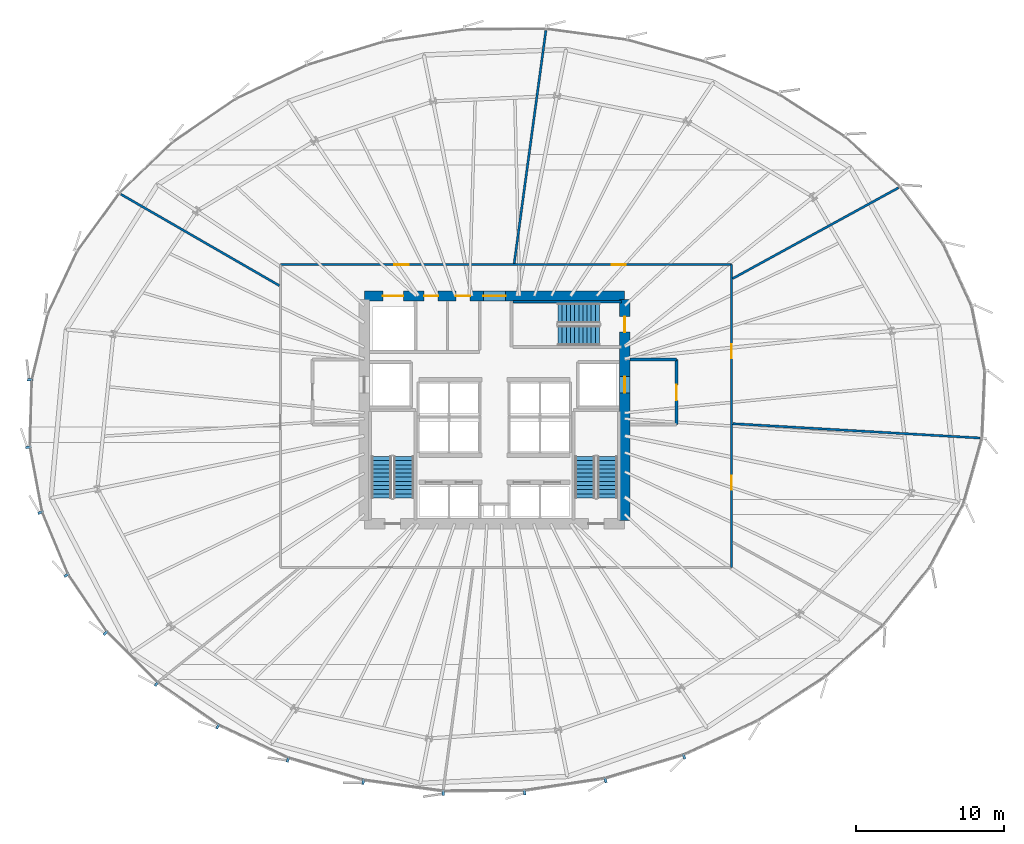
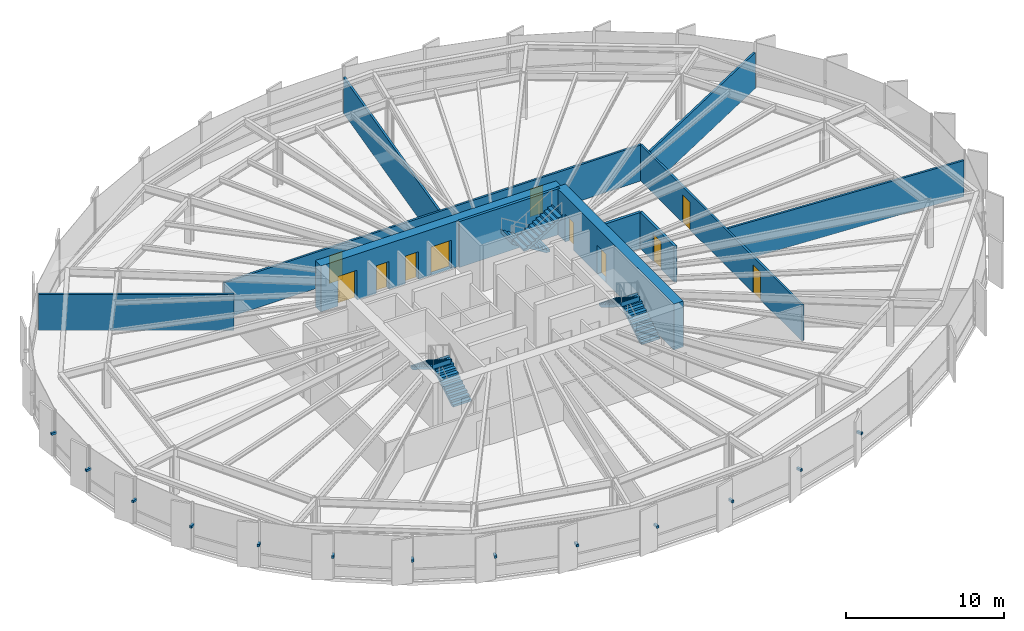
# One storey, part 31 of 37: 13 discrete accessories, 11 doors, 11 walls, 6 stair flights, 11 openings, 3 elements without a shape of their own.
"""IFC4 building model written with IfcOpenShell, lengths in metres."""

from ifc_helpers import new_model, si_unit, direction, frame, frame_2d, origin, origin_2d, place, context, subcontext, project, spatial, polyline, rectangle, outline, extrude, source, transform, mapped, material, layer, layer_set, type_object, element, fill, aggregate, save


model = new_model("IFC4")

# Units and contexts
model_context = context("Model", 3, precision=1e-05, world=origin(), true_north=direction((0.0, 1.0)))
body_context = subcontext(model_context, "Body", "Model", "MODEL_VIEW")
ifc_project = project(units=[si_unit("LENGTHUNIT", "METRE"), si_unit("AREAUNIT", "SQUARE_METRE"), si_unit("VOLUMEUNIT", "CUBIC_METRE"), si_unit("PLANEANGLEUNIT", "RADIAN"), si_unit("MASSUNIT", "GRAM", prefix="KILO"), si_unit("THERMODYNAMICTEMPERATUREUNIT", "KELVIN")], contexts=[model_context])

# Site, building, storey
site_placement = place(None, origin())
site = spatial("IfcSite", under=ifc_project, at=site_placement, CompositionType="ELEMENT")
building_placement = place(site_placement, origin())
building = spatial("IfcBuilding", under=site, at=building_placement, Name="Kethvar Cultural Tower", CompositionType="ELEMENT")
storey_placement = place(building_placement, frame((0.0, 0.0, 48.60009765625)))
storey = spatial("IfcBuildingStorey", under=building, at=storey_placement, Name="L11", CompositionType="ELEMENT", Elevation=48.60009765625)

# Wall, openings, doors
ifc_material_1 = material(Name="Concrete C60/75", Category="concrete")
ifc_layer_1 = layer(ifc_material_1, 0.699951171875, Name="Concrete C60/75", Category="concrete")
ifc_layer_set_1 = layer_set([ifc_layer_1], Name="Concrete C60/75 (700 mm)")
wall_type_1 = type_object("IfcWallType", Name="WL-CORE-700", PredefinedType="SHEAR", material=ifc_layer_set_1)
wall_1_placement = place(storey_placement, frame((55.60009765625, 35.5, 0.0), z_axis=(0.0, 0.0, 1.0), x_axis=(-1.0, 0.0, 0.0)))
wall_1 = element("IfcWall", 1, at=wall_1_placement, inside=storey, type_object=wall_type_1, Name="L11 Core Shear Wall N", PredefinedType="SHEAR", context=body_context, shape_type="SweptSolid", body=[
    extrude(rectangle(XDim=17.60009765625, YDim=0.699951171875, at=frame_2d((8.800048828125, 0.0))), origin(), (0.0, 0.0, 1.0), 3.5498046875),
])
opening_1_placement = place(wall_1_placement, frame((8.050048828125, 0.0, 0.0)))
opening_1 = element("IfcOpeningElement", 2, at=opening_1_placement, cuts=wall_1, Name="Opening D-L11-LN", PredefinedType="OPENING", context=body_context, shape_type="SweptSolid", body=[
    extrude(rectangle(XDim=1.5, YDim=2.199951171875, at=frame_2d((0.75, 1.10009765625))), frame((0.0, 0.35986328125, 0.0), z_axis=(0.0, -1.0, 0.0), x_axis=(1.0, 0.0, 0.0)), (0.0, 0.0, 1.0), 0.719970703125),
])
opening_2_placement = place(wall_1_placement, frame((14.949951171875, 0.0, 0.0)))
opening_2 = element("IfcOpeningElement", 3, at=opening_2_placement, cuts=wall_1, Name="Opening LD-G1", PredefinedType="OPENING", context=body_context, shape_type="SweptSolid", body=[
    extrude(rectangle(XDim=1.39990234375, YDim=2.300048828125, at=frame_2d((0.699951171875, 1.14990234375))), frame((0.0, 0.35986328125, 0.0), z_axis=(0.0, -1.0, 0.0), x_axis=(1.0, 0.0, 0.0)), (0.0, 0.0, 1.0), 0.719970703125),
])
opening_3_placement = place(wall_1_placement, frame((12.60009765625, 0.0, 0.0)))
opening_3 = element("IfcOpeningElement", 4, at=opening_3_placement, cuts=wall_1, Name="Opening D-L11-W1", PredefinedType="OPENING", context=body_context, shape_type="SweptSolid", body=[
    extrude(rectangle(XDim=0.949951171875, YDim=2.14990234375, at=frame_2d((0.47509765625, 1.074951171875))), frame((0.0, 0.35986328125, 0.0), z_axis=(0.0, -1.0, 0.0), x_axis=(1.0, 0.0, 0.0)), (0.0, 0.0, 1.0), 0.719970703125),
])
opening_4_placement = place(wall_1_placement, frame((10.449951171875, 0.0, 0.0)))
opening_4 = element("IfcOpeningElement", 5, at=opening_4_placement, cuts=wall_1, Name="Opening D-L11-W2", PredefinedType="OPENING", context=body_context, shape_type="SweptSolid", body=[
    extrude(rectangle(XDim=0.949951171875, YDim=2.14990234375, at=frame_2d((0.47509765625, 1.074951171875))), frame((0.0, 0.35986328125, 0.0), z_axis=(0.0, -1.0, 0.0), x_axis=(1.0, 0.0, 0.0)), (0.0, 0.0, 1.0), 0.719970703125),
])
ifc_material_2 = material(Name="Architectural Oak Timber", Category="wood")
door_type_1 = type_object("IfcDoorType", Name="DR-DBL-FD60-1500", OperationType="DOUBLE_DOOR_SINGLE_SWING", PredefinedType="DOOR", material=ifc_material_2)
shared_shape_1 = source(origin(), body_context, "Body", "SweptSolid", [
    extrude(rectangle(XDim=1.5, YDim=2.199951171875, at=frame_2d((0.75, 1.10009765625))), frame((0.0, 0.02490234375, 0.0), z_axis=(0.0, -1.0, 0.0), x_axis=(1.0, 0.0, 0.0)), (0.0, 0.0, 1.0), 0.050048828125),
])
door_1_placement = place(opening_1_placement, origin())
door_1 = element("IfcDoor", 6, at=door_1_placement, inside=storey, type_object=door_type_1, Name="L11 Lift Lobby Concourse Door", OperationType="DOUBLE_DOOR_SINGLE_SWING", OverallHeight=2.199951171875, OverallWidth=1.5, PredefinedType="DOOR", context=body_context, shape_type="MappedRepresentation", body=[
    mapped(shared_shape_1, transform((0.0, 0.0, 0.0), scale=1.0)),
])
fill(opening_1, door_1)
ifc_material_3 = material(Name="Steel S355J2", Category="steel")
door_type_2 = type_object("IfcDoorType", Name="DR-LIFT-SLIDE-1400", OperationType="NOTDEFINED", PredefinedType="DOOR", material=ifc_material_3)
shared_shape_2 = source(origin(), body_context, "Body", "SweptSolid", [
    extrude(rectangle(XDim=1.39990234375, YDim=2.300048828125, at=frame_2d((0.699951171875, 1.14990234375))), frame((0.0, 0.02490234375, 0.0), z_axis=(0.0, -1.0, 0.0), x_axis=(1.0, 0.0, 0.0)), (0.0, 0.0, 1.0), 0.050048828125),
])
door_2_placement = place(opening_2_placement, origin())
door_2 = element("IfcDoor", 7, at=door_2_placement, inside=storey, type_object=door_type_2, Name="L11 Goods Lift Landing Door", OperationType="SLIDING_TO_RIGHT", OverallHeight=2.300048828125, OverallWidth=1.39990234375, PredefinedType="DOOR", context=body_context, shape_type="MappedRepresentation", body=[
    mapped(shared_shape_2, transform((0.0, 0.0, 0.0), scale=1.0)),
])
fill(opening_2, door_2)
door_type_3 = type_object("IfcDoorType", Name="DR-FD30-950", OperationType="NOTDEFINED", PredefinedType="DOOR", material=ifc_material_2)
shared_shape_3 = source(origin(), body_context, "Body", "SweptSolid", [
    extrude(rectangle(XDim=0.949951171875, YDim=2.14990234375, at=frame_2d((0.47509765625, 1.074951171875))), frame((0.0, 0.02490234375, 0.0), z_axis=(0.0, -1.0, 0.0), x_axis=(1.0, 0.0, 0.0)), (0.0, 0.0, 1.0), 0.050048828125),
])
door_3_placement = place(opening_3_placement, origin())
door_3 = element("IfcDoor", 8, at=door_3_placement, inside=storey, type_object=door_type_3, Name="L11 Accessible Washroom Door", OperationType="SINGLE_SWING_LEFT", OverallHeight=2.14990234375, OverallWidth=0.949951171875, PredefinedType="DOOR", context=body_context, shape_type="MappedRepresentation", body=[
    mapped(shared_shape_3, transform((0.0, 0.0, 0.0), scale=1.0)),
])
fill(opening_3, door_3)
door_4_placement = place(opening_4_placement, origin())
door_4 = element("IfcDoor", 9, at=door_4_placement, inside=storey, type_object=door_type_3, Name="L11 Public Washroom Door", OperationType="SINGLE_SWING_RIGHT", OverallHeight=2.14990234375, OverallWidth=0.949951171875, PredefinedType="DOOR", context=body_context, shape_type="MappedRepresentation", body=[
    mapped(shared_shape_3, transform((0.0, 0.0, 0.0), scale=1.0)),
])
fill(opening_4, door_4)

wall_2_placement = place(storey_placement, frame((55.60009765625, 20.340087890625, 0.0), z_axis=(0.0, 0.0, 1.0), x_axis=(0.0, 1.0, 0.0)))
wall_2 = element("IfcWall", 10, at=wall_2_placement, inside=storey, type_object=wall_type_1, Name="L11 Core Shear Wall E", PredefinedType="SHEAR", context=body_context, shape_type="SweptSolid", body=[
    extrude(rectangle(XDim=14.919921875, YDim=0.699951171875, at=frame_2d((7.4599609375, 0.0))), origin(), (0.0, 0.0, 1.0), 3.5498046875),
])
opening_5_placement = place(wall_2_placement, frame((12.7099609375, 0.0, 0.0)))
opening_5 = element("IfcOpeningElement", 11, at=opening_5_placement, cuts=wall_2, Name="Opening D-L11-S3", PredefinedType="OPENING", context=body_context, shape_type="SweptSolid", body=[
    extrude(rectangle(XDim=1.050048828125, YDim=2.14990234375, at=frame_2d((0.52490234375, 1.074951171875))), frame((0.0, 0.35986328125, 0.0), z_axis=(0.0, -1.0, 0.0), x_axis=(1.0, 0.0, 0.0)), (0.0, 0.0, 1.0), 0.719970703125),
])
opening_6_placement = place(wall_2_placement, frame((8.610107421875, 0.0, 0.0)))
opening_6 = element("IfcOpeningElement", 12, at=opening_6_placement, cuts=wall_2, Name="Opening LD-2", PredefinedType="OPENING", context=body_context, shape_type="SweptSolid", body=[
    extrude(rectangle(XDim=1.10009765625, YDim=2.199951171875, at=frame_2d((0.550048828125, 1.10009765625))), frame((0.0, 0.35986328125, 0.0), z_axis=(0.0, -1.0, 0.0), x_axis=(1.0, 0.0, 0.0)), (0.0, 0.0, 1.0), 0.719970703125),
])
door_type_4 = type_object("IfcDoorType", Name="DR-FD60-1050", OperationType="NOTDEFINED", PredefinedType="DOOR", material=ifc_material_3)
shared_shape_4 = source(origin(), body_context, "Body", "SweptSolid", [
    extrude(rectangle(XDim=1.050048828125, YDim=2.14990234375, at=frame_2d((0.52490234375, 1.074951171875))), frame((0.0, 0.02490234375, 0.0), z_axis=(0.0, -1.0, 0.0), x_axis=(1.0, 0.0, 0.0)), (0.0, 0.0, 1.0), 0.050048828125),
])
door_5_placement = place(opening_5_placement, origin())
door_5 = element("IfcDoor", 13, at=door_5_placement, inside=storey, type_object=door_type_4, Name="L11 Exit Stair 3 Door", OperationType="SINGLE_SWING_LEFT", OverallHeight=2.14990234375, OverallWidth=1.050048828125, PredefinedType="DOOR", context=body_context, shape_type="MappedRepresentation", body=[
    mapped(shared_shape_4, transform((0.0, 0.0, 0.0), scale=1.0)),
])
fill(opening_5, door_5)
door_type_5 = type_object("IfcDoorType", Name="DR-LIFT-SLIDE-1100", OperationType="NOTDEFINED", PredefinedType="DOOR", material=ifc_material_3)
shared_shape_5 = source(origin(), body_context, "Body", "SweptSolid", [
    extrude(rectangle(XDim=1.10009765625, YDim=2.199951171875, at=frame_2d((0.550048828125, 1.10009765625))), frame((0.0, 0.02490234375, 0.0), z_axis=(0.0, -1.0, 0.0), x_axis=(1.0, 0.0, 0.0)), (0.0, 0.0, 1.0), 0.050048828125),
])
door_6_placement = place(opening_6_placement, origin())
door_6 = element("IfcDoor", 14, at=door_6_placement, inside=storey, type_object=door_type_5, Name="L11 Firefighting Lift Landing Door FFL-02", OperationType="SLIDING_TO_RIGHT", OverallHeight=2.199951171875, OverallWidth=1.10009765625, PredefinedType="DOOR", context=body_context, shape_type="MappedRepresentation", body=[
    mapped(shared_shape_5, transform((0.0, 0.0, 0.0), scale=1.0)),
])
fill(opening_6, door_6)

ifc_material_4 = material(Name="Gypsum Fireboard Partition")
ifc_layer_2 = layer(ifc_material_4, 0.14990234375, Name="Gypsum Fireboard Partition")
ifc_layer_set_2 = layer_set([ifc_layer_2], Name="Gypsum Fireboard Partition (150 mm)")
wall_type_2 = type_object("IfcWallType", Name="WL-FIRE-150", PredefinedType="PARTITIONING", material=ifc_layer_set_2)
wall_3_placement = place(storey_placement, frame((62.830078125, 17.139892578125, 0.0), z_axis=(0.0, 0.0, 1.0), x_axis=(0.0, 1.0, 0.0)))
wall_3 = element("IfcWall", 15, at=wall_3_placement, inside=storey, type_object=wall_type_2, Name="L11 Corridor Rated Wall E", PredefinedType="PARTITIONING", context=body_context, shape_type="SweptSolid", body=[
    extrude(rectangle(XDim=20.480224609375, YDim=0.14990234375, at=frame_2d((10.240234375, 0.0))), origin(), (0.0, 0.0, 1.0), 2.784912109375),
])
opening_7_placement = place(wall_3_placement, frame((5.248779296875, 0.0, 0.0)))
opening_7 = element("IfcOpeningElement", 16, at=opening_7_placement, cuts=wall_3, Name="Opening D-L11-03", PredefinedType="OPENING", context=body_context, shape_type="SweptSolid", body=[
    extrude(rectangle(XDim=0.949951171875, YDim=2.14990234375, at=frame_2d((0.47509765625, 1.074951171875))), frame((0.0, 0.0849609375, 0.0), z_axis=(0.0, -1.0, 0.0), x_axis=(1.0, 0.0, 0.0)), (0.0, 0.0, 1.0), 0.169921875),
])
opening_8_placement = place(wall_3_placement, frame((14.1611328125, 0.0, 0.0)))
opening_8 = element("IfcOpeningElement", 17, at=opening_8_placement, cuts=wall_3, Name="Opening D-L11-04", PredefinedType="OPENING", context=body_context, shape_type="SweptSolid", body=[
    extrude(rectangle(XDim=0.949951171875, YDim=2.14990234375, at=frame_2d((0.47509765625, 1.074951171875))), frame((0.0, 0.0849609375, 0.0), z_axis=(0.0, -1.0, 0.0), x_axis=(1.0, 0.0, 0.0)), (0.0, 0.0, 1.0), 0.169921875),
])
door_7_placement = place(opening_7_placement, origin())
door_7 = element("IfcDoor", 18, at=door_7_placement, inside=storey, type_object=door_type_3, Name="L11 Executive Boardroom 03 Door", OperationType="SINGLE_SWING_RIGHT", OverallHeight=2.14990234375, OverallWidth=0.949951171875, PredefinedType="DOOR", context=body_context, shape_type="MappedRepresentation", body=[
    mapped(shared_shape_3, transform((0.0, 0.0, 0.0), scale=1.0)),
])
fill(opening_7, door_7)
door_8_placement = place(opening_8_placement, origin())
door_8 = element("IfcDoor", 19, at=door_8_placement, inside=storey, type_object=door_type_3, Name="L11 Fellowship Seminar Room 04 Door", OperationType="SINGLE_SWING_LEFT", OverallHeight=2.14990234375, OverallWidth=0.949951171875, PredefinedType="DOOR", context=body_context, shape_type="MappedRepresentation", body=[
    mapped(shared_shape_3, transform((0.0, 0.0, 0.0), scale=1.0)),
])
fill(opening_8, door_8)

wall_4_placement = place(storey_placement, frame((62.830078125, 37.6201171875, 0.0), z_axis=(0.0, 0.0, 1.0), x_axis=(-1.0, 0.0, 0.0)))
wall_4 = element("IfcWall", 20, at=wall_4_placement, inside=storey, type_object=wall_type_2, Name="L11 Corridor Rated Wall N", PredefinedType="PARTITIONING", context=body_context, shape_type="SweptSolid", body=[
    extrude(rectangle(XDim=30.5, YDim=0.14990234375, at=frame_2d((15.25, 0.0))), origin(), (0.0, 0.0, 1.0), 2.784912109375),
])
opening_9_placement = place(wall_4_placement, frame((7.167236328125, 0.0, 0.0)))
opening_9 = element("IfcOpeningElement", 21, at=opening_9_placement, cuts=wall_4, Name="Opening D-L11-05", PredefinedType="OPENING", context=body_context, shape_type="SweptSolid", body=[
    extrude(rectangle(XDim=0.949951171875, YDim=2.14990234375, at=frame_2d((0.47509765625, 1.074951171875))), frame((0.0, 0.0849609375, 0.0), z_axis=(0.0, -1.0, 0.0), x_axis=(1.0, 0.0, 0.0)), (0.0, 0.0, 1.0), 0.169921875),
])
opening_10_placement = place(wall_4_placement, frame((21.836181640625, 0.0, 0.0)))
opening_10 = element("IfcOpeningElement", 22, at=opening_10_placement, cuts=wall_4, Name="Opening D-L11-06", PredefinedType="OPENING", context=body_context, shape_type="SweptSolid", body=[
    extrude(rectangle(XDim=0.949951171875, YDim=2.14990234375, at=frame_2d((0.47509765625, 1.074951171875))), frame((0.0, 0.0849609375, 0.0), z_axis=(0.0, -1.0, 0.0), x_axis=(1.0, 0.0, 0.0)), (0.0, 0.0, 1.0), 0.169921875),
])
door_9_placement = place(opening_9_placement, origin())
door_9 = element("IfcDoor", 23, at=door_9_placement, inside=storey, type_object=door_type_3, Name="L11 Docent Espresso Pantry 05 Door", OperationType="SINGLE_SWING_RIGHT", OverallHeight=2.14990234375, OverallWidth=0.949951171875, PredefinedType="DOOR", context=body_context, shape_type="MappedRepresentation", body=[
    mapped(shared_shape_3, transform((0.0, 0.0, 0.0), scale=1.0)),
])
fill(opening_9, door_9)
door_10_placement = place(opening_10_placement, origin())
door_10 = element("IfcDoor", 24, at=door_10_placement, inside=storey, type_object=door_type_3, Name="L11 Compact Archival Store 06 Door", OperationType="SINGLE_SWING_LEFT", OverallHeight=2.14990234375, OverallWidth=0.949951171875, PredefinedType="DOOR", context=body_context, shape_type="MappedRepresentation", body=[
    mapped(shared_shape_3, transform((0.0, 0.0, 0.0), scale=1.0)),
])
fill(opening_10, door_10)

# Wall, opening, door
ifc_material_5 = material(Name="Concrete C40/50", Category="concrete")
ifc_layer_3 = layer(ifc_material_5, 0.199951171875, Name="Concrete C40/50", Category="concrete")
ifc_layer_set_3 = layer_set([ifc_layer_3], Name="Concrete C40/50 (200 mm)")
wall_type_3 = type_object("IfcWallType", Name="WL-FIRE-200", PredefinedType="PARTITIONING", material=ifc_layer_set_3)
wall_5_placement = place(storey_placement, frame((59.10009765625, 26.800048828125, 0.0), z_axis=(0.0, 0.0, 1.0), x_axis=(0.0, 1.0, 0.0)))
wall_5 = element("IfcWall", 25, at=wall_5_placement, inside=storey, type_object=wall_type_3, Name="L11 Firefighting Lobby 2 Wall", PredefinedType="PARTITIONING", context=body_context, shape_type="SweptSolid", body=[
    extrude(rectangle(XDim=4.39990234375, YDim=0.199951171875, at=frame_2d((2.199951171875, 0.0))), origin(), (0.0, 0.0, 1.0), 2.784912109375),
])
opening_11_placement = place(wall_5_placement, frame((1.64990234375, 0.0, 0.0)))
opening_11 = element("IfcOpeningElement", 26, at=opening_11_placement, cuts=wall_5, Name="Opening D-L11-F2", PredefinedType="OPENING", context=body_context, shape_type="SweptSolid", body=[
    extrude(rectangle(XDim=1.050048828125, YDim=2.14990234375, at=frame_2d((0.52490234375, 1.074951171875))), frame((0.0, 0.10986328125, 0.0), z_axis=(0.0, -1.0, 0.0), x_axis=(1.0, 0.0, 0.0)), (0.0, 0.0, 1.0), 0.219970703125),
])
door_11_placement = place(opening_11_placement, origin())
door_11 = element("IfcDoor", 27, at=door_11_placement, inside=storey, type_object=door_type_4, Name="L11 Firefighting Lobby 2 Fire Door", OperationType="SINGLE_SWING_LEFT", OverallHeight=2.14990234375, OverallWidth=1.050048828125, PredefinedType="DOOR", context=body_context, shape_type="MappedRepresentation", body=[
    mapped(shared_shape_4, transform((0.0, 0.0, 0.0), scale=1.0)),
])
fill(opening_11, door_11)

# Walls
wall_6_placement = place(storey_placement, frame((55.9599609375, 31.199951171875, 0.0), z_axis=(0.0, 0.0, 1.0), x_axis=(1.0, 0.0, 0.0)))
element("IfcWall", 28, at=wall_6_placement, inside=storey, type_object=wall_type_3, Name="L11 FF Lobby 2 North Wall", PredefinedType="PARTITIONING", context=body_context, shape_type="SweptSolid", body=[
    extrude(rectangle(XDim=3.14013671875, YDim=0.199951171875, at=frame_2d((1.570068359375, 0.0))), origin(), (0.0, 0.0, 1.0), 2.784912109375),
])
ifc_material_6 = material(Name="Gypsum Acoustic Partition")
ifc_layer_4 = layer(ifc_material_6, 0.14990234375, Name="Gypsum Acoustic Partition")
ifc_layer_set_4 = layer_set([ifc_layer_4], Name="Gypsum Acoustic Partition (150 mm)")
wall_type_4 = type_object("IfcWallType", Name="WL-PART-150", PredefinedType="PARTITIONING", material=ifc_layer_set_4)
wall_7_placement = place(storey_placement, frame((62.909912109375, 26.868896484375, 0.0), z_axis=(0.0, 0.0, 1.0), x_axis=(0.998327003438, -0.057820361518, 0.0)))
element("IfcWall", 29, at=wall_7_placement, inside=storey, type_object=wall_type_4, Name="L11 Radial Partition Wall 04", PredefinedType="PARTITIONING", context=body_context, shape_type="SweptSolid", body=[
    extrude(rectangle(XDim=16.74609375, YDim=0.14990234375, at=frame_2d((8.373046875, 0.0))), origin(), (0.0, 0.0, 1.0), 2.784912109375),
])
wall_8_placement = place(storey_placement, frame((62.900146484375, 36.677978515625, 0.0), z_axis=(0.0, 0.0, 1.0), x_axis=(0.877128463717, 0.48025582572, 0.0)))
element("IfcWall", 30, at=wall_8_placement, inside=storey, type_object=wall_type_4, Name="L11 Radial Partition Wall 05", PredefinedType="PARTITIONING", context=body_context, shape_type="SweptSolid", body=[
    extrude(rectangle(XDim=12.777587890625, YDim=0.14990234375, at=frame_2d((6.388671875, 0.0))), origin(), (0.0, 0.0, 1.0), 2.784912109375),
])
wall_9_placement = place(storey_placement, frame((48.135986328125, 37.69921875, 0.0), z_axis=(0.0, 0.0, 1.0), x_axis=(0.134790121576, 0.990874171187, 0.0)))
element("IfcWall", 31, at=wall_9_placement, inside=storey, type_object=wall_type_4, Name="L11 Radial Partition Wall 06", PredefinedType="PARTITIONING", context=body_context, shape_type="SweptSolid", body=[
    extrude(rectangle(XDim=15.883056640625, YDim=0.14990234375, at=frame_2d((7.94140625, 0.0))), origin(), (0.0, 0.0, 1.0), 2.784912109375),
])
wall_10_placement = place(storey_placement, frame((32.2607421875, 36.201904296875, 0.0), z_axis=(0.0, 0.0, 1.0), x_axis=(-0.866322342506, 0.499485333994, 0.0)))
element("IfcWall", 32, at=wall_10_placement, inside=storey, type_object=wall_type_4, Name="L11 Radial Partition Wall 07", PredefinedType="PARTITIONING", context=body_context, shape_type="SweptSolid", body=[
    extrude(rectangle(XDim=12.36083984375, YDim=0.14990234375, at=frame_2d((6.180419921875, 0.0))), origin(), (0.0, 0.0, 1.0), 2.784912109375),
])
ifc_material_7 = material(Name="Concrete C50/60", Category="concrete")
ifc_layer_5 = layer(ifc_material_7, 0.199951171875, Name="Concrete C50/60", Category="concrete")
ifc_layer_set_5 = layer_set([ifc_layer_5], Name="Concrete C50/60 (200 mm)")
wall_type_5 = type_object("IfcWallType", Name="WL-STSHAFT-200", PredefinedType="SHEAR", material=ifc_layer_set_5)
wall_11_placement = place(storey_placement, frame((48.050048828125, 35.110107421875, 0.0), z_axis=(0.0, 0.0, 1.0), x_axis=(1.0, 0.0, 0.0)))
element("IfcWall", 33, at=wall_11_placement, inside=storey, type_object=wall_type_5, Name="L11 ST-03 Stair Shaft Wall LEFT", PredefinedType="SHEAR", context=body_context, shape_type="SweptSolid", body=[
    extrude(rectangle(XDim=7.349853515625, YDim=0.199951171875, at=frame_2d((3.6748046875, 0.0))), origin(), (0.0, 0.0, 1.0), 3.5498046875),
])

# Stair, stair flights
stair_type = type_object("IfcStairType", Name="ST-DOGLEG-135", PredefinedType="HALF_TURN_STAIR", material=ifc_material_5)
stair_1_placement = place(storey_placement, origin())
stair_1 = element("IfcStair", 34, at=stair_1_placement, inside=storey, type_object=stair_type, Name="L11 Core Exit Stair 1", PredefinedType="HALF_TURN_STAIR")
stair_flight_type = type_object("IfcStairFlightType", Name="FL-STRAIGHT-135", PredefinedType="STRAIGHT", material=ifc_material_5)
stair_flight_1_placement = place(storey_placement, frame((40.675048828125, 21.85009765625, 0.0), z_axis=(0.0, 0.0, 1.0), x_axis=(0.0, 1.0, 0.0)))
stair_flight_1 = element("IfcStairFlight", 35, at=stair_flight_1_placement, type_object=stair_flight_type, Name="ST-01 flight 1", NumberOfRisers=11, NumberOfTreads=10, PredefinedType="STRAIGHT", RiserHeight=0.172727273, TreadLength=0.28, context=body_context, shape_type="SweptSolid", body=[
    extrude(outline(polyline([(-0.0009765625, -0.0009765625), (-0.0009765625, 0.172607421875), (0.280029296875, 0.172607421875), (0.280029296875, 0.345458984375), (0.56005859375, 0.345458984375), (0.56005859375, 0.51806640625), (0.840087890625, 0.51806640625), (0.840087890625, 0.69091796875), (1.1201171875, 0.69091796875), (1.1201171875, 0.863525390625), (1.39990234375, 0.863525390625), (1.39990234375, 1.036376953125), (1.679931640625, 1.036376953125), (1.679931640625, 1.208984375), (1.9599609375, 1.208984375), (1.9599609375, 1.3818359375), (2.239990234375, 1.3818359375), (2.239990234375, 1.554443359375), (2.52001953125, 1.554443359375), (2.52001953125, 1.727294921875), (2.800048828125, 1.727294921875), (2.800048828125, 1.89990234375), (2.801025390625, 1.89990234375), (2.801025390625, 1.551025390625), (0.285400390625, 0.0), (0.0, -0.0009765625), (-0.0009765625, -0.0009765625)])), frame((0.0, 0.675048828125, 0.0), z_axis=(0.0, -1.0, 0.0), x_axis=(1.0, 0.0, 0.0)), (0.0, 0.0, 1.0), 1.35009765625),
])
stair_flight_2_placement = place(storey_placement, frame((39.1650390625, 24.64990234375, 1.89990234375), z_axis=(0.0, 0.0, 1.0), x_axis=(0.0, -1.0, 0.0)))
stair_flight_2 = element("IfcStairFlight", 36, at=stair_flight_2_placement, type_object=stair_flight_type, Name="ST-01 flight 2", NumberOfRisers=11, NumberOfTreads=10, PredefinedType="STRAIGHT", RiserHeight=0.172727273, TreadLength=0.28, context=body_context, shape_type="SweptSolid", body=[
    extrude(outline(polyline([(-0.0009765625, -0.0009765625), (-0.0009765625, 0.172607421875), (0.280029296875, 0.172607421875), (0.280029296875, 0.345458984375), (0.56005859375, 0.345458984375), (0.56005859375, 0.51806640625), (0.840087890625, 0.51806640625), (0.840087890625, 0.69091796875), (1.1201171875, 0.69091796875), (1.1201171875, 0.863525390625), (1.39990234375, 0.863525390625), (1.39990234375, 1.036376953125), (1.679931640625, 1.036376953125), (1.679931640625, 1.208984375), (1.9599609375, 1.208984375), (1.9599609375, 1.3818359375), (2.239990234375, 1.3818359375), (2.239990234375, 1.554443359375), (2.52001953125, 1.554443359375), (2.52001953125, 1.727294921875), (2.800048828125, 1.727294921875), (2.800048828125, 1.89990234375), (2.801025390625, 1.89990234375), (2.801025390625, 1.551025390625), (0.285400390625, 0.0), (0.0, -0.0009765625), (-0.0009765625, -0.0009765625)])), frame((0.0, 0.675048828125, 0.0), z_axis=(0.0, -1.0, 0.0), x_axis=(1.0, 0.0, 0.0)), (0.0, 0.0, 1.0), 1.35009765625),
])
aggregate(stair_1, [stair_flight_1, stair_flight_2])

stair_2_placement = place(storey_placement, origin())
stair_2 = element("IfcStair", 37, at=stair_2_placement, inside=storey, type_object=stair_type, Name="L11 Core Exit Stair 2", PredefinedType="HALF_TURN_STAIR")
stair_flight_3_placement = place(storey_placement, frame((54.43505859375, 21.85009765625, 0.0), z_axis=(0.0, 0.0, 1.0), x_axis=(0.0, 1.0, 0.0)))
stair_flight_3 = element("IfcStairFlight", 38, at=stair_flight_3_placement, type_object=stair_flight_type, Name="ST-02 flight 1", NumberOfRisers=11, NumberOfTreads=10, PredefinedType="STRAIGHT", RiserHeight=0.172727273, TreadLength=0.28, context=body_context, shape_type="SweptSolid", body=[
    extrude(outline(polyline([(-0.0009765625, -0.0009765625), (-0.0009765625, 0.172607421875), (0.280029296875, 0.172607421875), (0.280029296875, 0.345458984375), (0.56005859375, 0.345458984375), (0.56005859375, 0.51806640625), (0.840087890625, 0.51806640625), (0.840087890625, 0.69091796875), (1.1201171875, 0.69091796875), (1.1201171875, 0.863525390625), (1.39990234375, 0.863525390625), (1.39990234375, 1.036376953125), (1.679931640625, 1.036376953125), (1.679931640625, 1.208984375), (1.9599609375, 1.208984375), (1.9599609375, 1.3818359375), (2.239990234375, 1.3818359375), (2.239990234375, 1.554443359375), (2.52001953125, 1.554443359375), (2.52001953125, 1.727294921875), (2.800048828125, 1.727294921875), (2.800048828125, 1.89990234375), (2.801025390625, 1.89990234375), (2.801025390625, 1.551025390625), (0.285400390625, 0.0), (0.0, -0.0009765625), (-0.0009765625, -0.0009765625)])), frame((0.0, 0.675048828125, 0.0), z_axis=(0.0, -1.0, 0.0), x_axis=(1.0, 0.0, 0.0)), (0.0, 0.0, 1.0), 1.35009765625),
])
stair_flight_4_placement = place(storey_placement, frame((52.925048828125, 24.64990234375, 1.89990234375), z_axis=(0.0, 0.0, 1.0), x_axis=(0.0, -1.0, 0.0)))
stair_flight_4 = element("IfcStairFlight", 39, at=stair_flight_4_placement, type_object=stair_flight_type, Name="ST-02 flight 2", NumberOfRisers=11, NumberOfTreads=10, PredefinedType="STRAIGHT", RiserHeight=0.172727273, TreadLength=0.28, context=body_context, shape_type="SweptSolid", body=[
    extrude(outline(polyline([(-0.0009765625, -0.0009765625), (-0.0009765625, 0.172607421875), (0.280029296875, 0.172607421875), (0.280029296875, 0.345458984375), (0.56005859375, 0.345458984375), (0.56005859375, 0.51806640625), (0.840087890625, 0.51806640625), (0.840087890625, 0.69091796875), (1.1201171875, 0.69091796875), (1.1201171875, 0.863525390625), (1.39990234375, 0.863525390625), (1.39990234375, 1.036376953125), (1.679931640625, 1.036376953125), (1.679931640625, 1.208984375), (1.9599609375, 1.208984375), (1.9599609375, 1.3818359375), (2.239990234375, 1.3818359375), (2.239990234375, 1.554443359375), (2.52001953125, 1.554443359375), (2.52001953125, 1.727294921875), (2.800048828125, 1.727294921875), (2.800048828125, 1.89990234375), (2.801025390625, 1.89990234375), (2.801025390625, 1.551025390625), (0.285400390625, 0.0), (0.0, -0.0009765625), (-0.0009765625, -0.0009765625)])), frame((0.0, 0.675048828125, 0.0), z_axis=(0.0, -1.0, 0.0), x_axis=(1.0, 0.0, 0.0)), (0.0, 0.0, 1.0), 1.35009765625),
])
aggregate(stair_2, [stair_flight_3, stair_flight_4])

stair_3_placement = place(storey_placement, origin())
stair_3 = element("IfcStair", 40, at=stair_3_placement, inside=storey, type_object=stair_type, Name="L11 Core Exit Stair 3", PredefinedType="HALF_TURN_STAIR")
stair_flight_5_placement = place(storey_placement, frame((53.89990234375, 34.3349609375, 0.0), z_axis=(0.0, 0.0, 1.0), x_axis=(-1.0, 0.0, 0.0)))
stair_flight_5 = element("IfcStairFlight", 41, at=stair_flight_5_placement, type_object=stair_flight_type, Name="ST-03 flight 1", NumberOfRisers=11, NumberOfTreads=10, PredefinedType="STRAIGHT", RiserHeight=0.172727273, TreadLength=0.28, context=body_context, shape_type="SweptSolid", body=[
    extrude(outline(polyline([(-0.0009765625, -0.0009765625), (-0.0009765625, 0.172607421875), (0.280029296875, 0.172607421875), (0.280029296875, 0.345458984375), (0.56005859375, 0.345458984375), (0.56005859375, 0.51806640625), (0.840087890625, 0.51806640625), (0.840087890625, 0.69091796875), (1.1201171875, 0.69091796875), (1.1201171875, 0.863525390625), (1.39990234375, 0.863525390625), (1.39990234375, 1.036376953125), (1.679931640625, 1.036376953125), (1.679931640625, 1.208984375), (1.9599609375, 1.208984375), (1.9599609375, 1.3818359375), (2.239990234375, 1.3818359375), (2.239990234375, 1.554443359375), (2.52001953125, 1.554443359375), (2.52001953125, 1.727294921875), (2.800048828125, 1.727294921875), (2.800048828125, 1.89990234375), (2.801025390625, 1.89990234375), (2.801025390625, 1.551025390625), (0.285400390625, 0.0), (0.0, -0.0009765625), (-0.0009765625, -0.0009765625)])), frame((0.0, 0.675048828125, 0.0), z_axis=(0.0, -1.0, 0.0), x_axis=(1.0, 0.0, 0.0)), (0.0, 0.0, 1.0), 1.35009765625),
])
stair_flight_6_placement = place(storey_placement, frame((51.10009765625, 32.824951171875, 1.89990234375), z_axis=(0.0, 0.0, 1.0), x_axis=(1.0, 0.0, 0.0)))
stair_flight_6 = element("IfcStairFlight", 42, at=stair_flight_6_placement, type_object=stair_flight_type, Name="ST-03 flight 2", NumberOfRisers=11, NumberOfTreads=10, PredefinedType="STRAIGHT", RiserHeight=0.172727273, TreadLength=0.28, context=body_context, shape_type="SweptSolid", body=[
    extrude(outline(polyline([(-0.0009765625, -0.0009765625), (-0.0009765625, 0.172607421875), (0.280029296875, 0.172607421875), (0.280029296875, 0.345458984375), (0.56005859375, 0.345458984375), (0.56005859375, 0.51806640625), (0.840087890625, 0.51806640625), (0.840087890625, 0.69091796875), (1.1201171875, 0.69091796875), (1.1201171875, 0.863525390625), (1.39990234375, 0.863525390625), (1.39990234375, 1.036376953125), (1.679931640625, 1.036376953125), (1.679931640625, 1.208984375), (1.9599609375, 1.208984375), (1.9599609375, 1.3818359375), (2.239990234375, 1.3818359375), (2.239990234375, 1.554443359375), (2.52001953125, 1.554443359375), (2.52001953125, 1.727294921875), (2.800048828125, 1.727294921875), (2.800048828125, 1.89990234375), (2.801025390625, 1.89990234375), (2.801025390625, 1.551025390625), (0.285400390625, 0.0), (0.0, -0.0009765625), (-0.0009765625, -0.0009765625)])), frame((0.0, 0.675048828125, 0.0), z_axis=(0.0, -1.0, 0.0), x_axis=(1.0, 0.0, 0.0)), (0.0, 0.0, 1.0), 1.35009765625),
])
aggregate(stair_3, [stair_flight_5, stair_flight_6])

# Discrete accessories
discrete_accessory_type = type_object("IfcDiscreteAccessoryType", Name="Steel Fin Bracket BRK-01", PredefinedType="BRACKET", material=ifc_material_3)
shared_shape_6 = source(origin(), body_context, "Body", "SweptSolid", [
    extrude(rectangle(XDim=0.3798828125, YDim=0.159912109375, at=origin_2d()), origin(), (0.0, 0.0, 1.0), 0.179931640625),
])
for number, where, z_axis, x_axis, name in (
    (43, (15.41162109375, 29.84326171875, 1.68505859375), (0.0, 0.0, 1.0), (-0.999614973061, 0.027747173422, 0.0), "L11 Terracotta Fin Bracket 3.6"),
    (44, (15.293701171875, 25.277099609375, 1.68505859375), (0.0, 0.0, 1.0), (-0.982967439746, -0.18377979323, 0.0), "L11 Terracotta Fin Bracket 4.1"),
    (45, (16.118408203125, 20.86962890625, 1.68505859375), (0.0, 0.0, 1.0), (-0.923210217113, -0.38429532266, 0.0), "L11 Terracotta Fin Bracket 4.2"),
    (46, (17.8828125, 16.63134765625, 1.68505859375), (0.0, 0.0, 1.0), (-0.827766671236, -0.56107248907, 0.0), "L11 Terracotta Fin Bracket 4.3"),
    (47, (20.52587890625, 12.732666015625, 1.68505859375), (0.0, 0.0, 1.0), (-0.707106781187, -0.707106781187, 0.0), "L11 Terracotta Fin Bracket 4.4"),
    (48, (23.96728515625, 9.29150390625, 1.68505859375), (0.0, 0.0, 1.0), (-0.571286698852, -0.820750575823, 0.0), "L11 Terracotta Fin Bracket 4.5"),
    (49, (28.102294921875, 6.4130859375, 1.68505859375), (0.0, 0.0, 1.0), (-0.428304381921, -0.903634525916, 0.0), "L11 Terracotta Fin Bracket 4.6"),
    (50, (32.845947265625, 4.172607421875, 1.68505859375), (0.0, 0.0, 1.0), (-0.282676303383, -0.959215360337, 0.0), "L11 Terracotta Fin Bracket 5.1"),
    (51, (37.93359375, 2.67333984375, 1.68505859375), (0.0, 0.0, 1.0), (-0.137271667431, -0.990533436751, 0.0), "L11 Terracotta Fin Bracket 5.2"),
    (52, (43.331298828125, 1.925537109375, 1.68505859375), (0.0, 0.0, 1.0), (0.006981260298, -0.999975630705, 0.0), "L11 Terracotta Fin Bracket 5.3"),
    (53, (48.833984375, 1.9638671875, 1.68505859375), (0.0, 0.0, 1.0), (0.149362770624, -0.988782464828, 0.0), "L11 Terracotta Fin Bracket 5.4"),
    (54, (54.297119140625, 2.788818359375, 1.68505859375), (0.0, 0.0, 1.0), (0.286858965796, -0.957972825159, 0.0), "L11 Terracotta Fin Bracket 5.5"),
    (55, (59.608642578125, 4.37939453125, 1.68505859375), (0.0, 0.0, 1.0), (0.418184177516, -0.908362259055, 0.0), "L11 Terracotta Fin Bracket 5.6"),
):
    element("IfcDiscreteAccessory", number, at=place(storey_placement, frame(where, z_axis=z_axis, x_axis=x_axis)), inside=storey, type_object=discrete_accessory_type, Name=name, PredefinedType="BRACKET", context=body_context, shape_type="MappedRepresentation", body=[
        mapped(shared_shape_6, transform((0.0, 0.0, 0.0), scale=1.0)),
    ])

save(model, "model.ifc")
